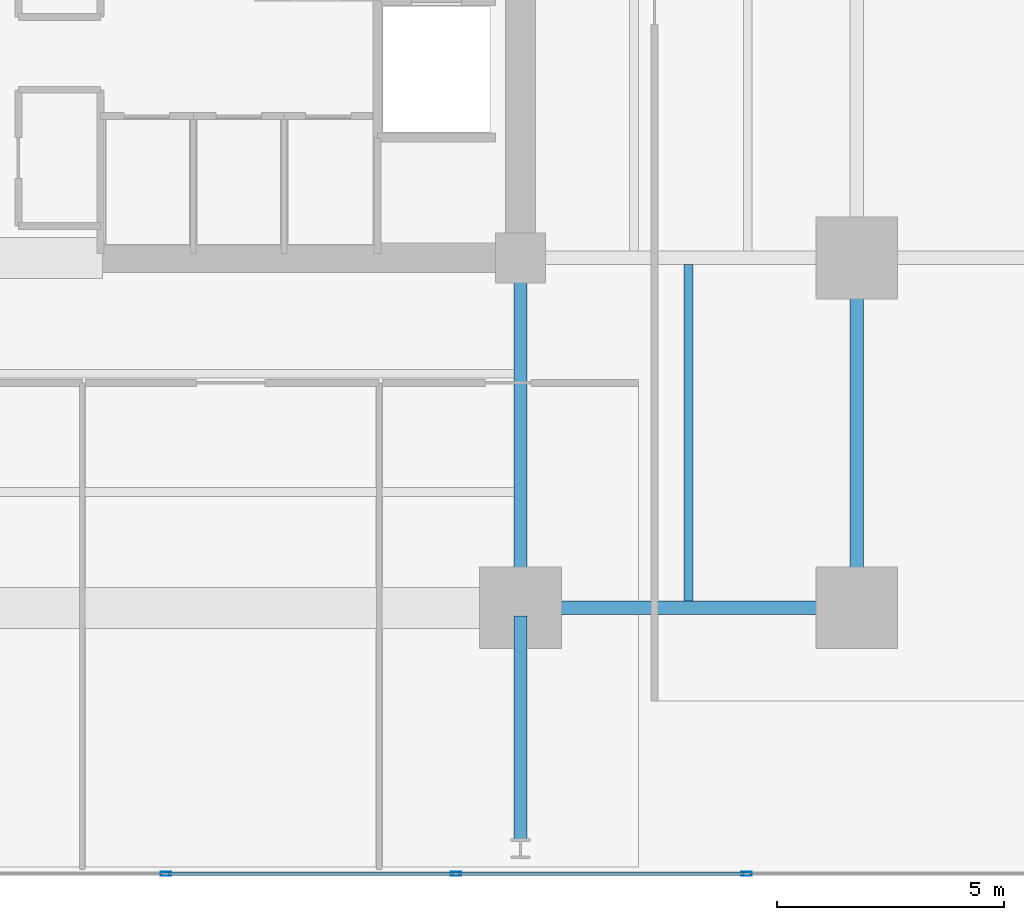
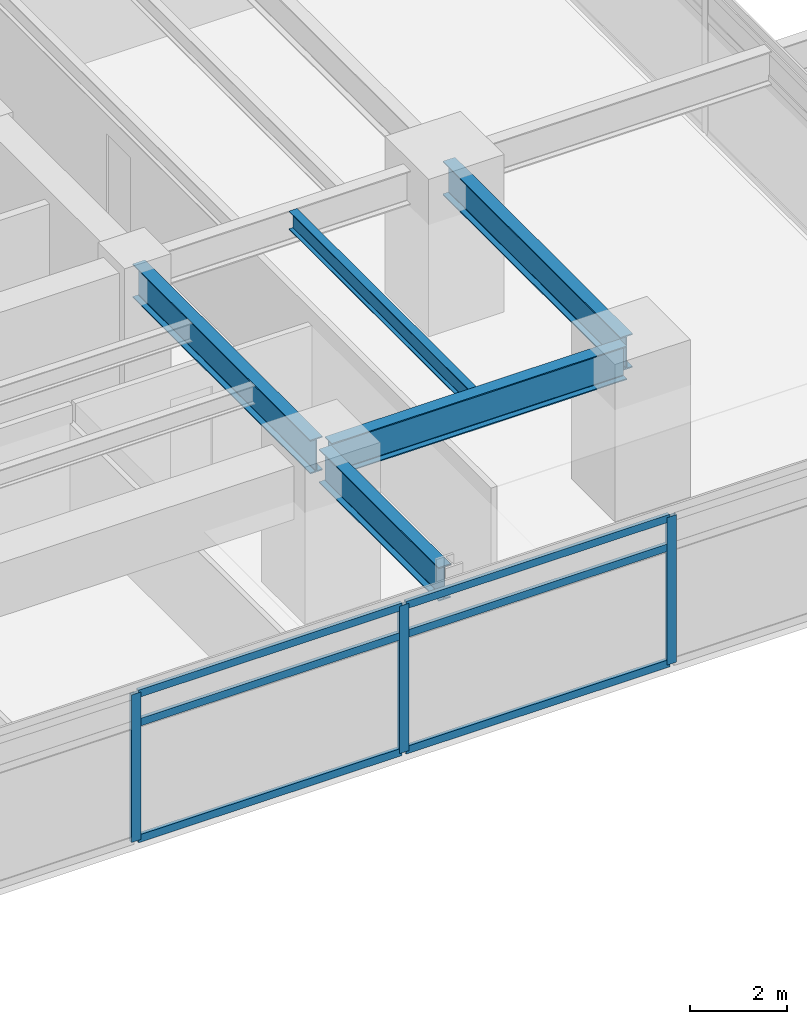
# One storey, part 6 of 20: 9 members, 5 beams, 1 element without a shape of its own.
"""IFC4 building model written with IfcOpenShell, lengths in metres."""

from ifc_helpers import new_model, si_unit, direction, frame, origin, origin_2d, place, context, subcontext, project, spatial, hollow_rectangle, i_section, extrude, material, material_profile, profile_set, type_object, element, aggregate, save


model = new_model("IFC4")

# Units and contexts
model_context = context("Model", 3, precision=1e-05, world=origin(), true_north=direction((0.0, 1.0)))
body_context = subcontext(model_context, "Body", "Model", "MODEL_VIEW")
ifc_project = project(units=[si_unit("LENGTHUNIT", "METRE"), si_unit("AREAUNIT", "SQUARE_METRE"), si_unit("VOLUMEUNIT", "CUBIC_METRE"), si_unit("PLANEANGLEUNIT", "RADIAN"), si_unit("MASSUNIT", "GRAM", prefix="KILO")], contexts=[model_context])

# Site, building, storey
site_placement = place(None, origin())
site = spatial("IfcSite", under=ifc_project, at=site_placement, CompositionType="ELEMENT")
building_placement = place(site_placement, origin())
building = spatial("IfcBuilding", under=site, at=building_placement, Name="Kovane Verandah Tower", CompositionType="ELEMENT")
storey_placement = place(building_placement, frame((0.0, 0.0, 75.60009765625)))
storey = spatial("IfcBuildingStorey", under=building, at=storey_placement, Name="L17", CompositionType="ELEMENT", Elevation=75.60009765625)

# Beams
ifc_material_1 = material(Name="Steel S355", Category="steel")
ifc_material_profile_1 = material_profile(ifc_material_1, i_section(OverallWidth=0.293701171875, OverallDepth=0.850830078125, WebThickness=0.01611328125, FlangeThickness=0.02685546875, FilletRadius=0.017822265625, at=origin_2d()), Name="UB838x292x226")
ifc_profile_set_1 = profile_set([ifc_material_profile_1], Name="Steel S355")
beam_type_1 = type_object("IfcBeamType", Name="BM-UB838x226", PredefinedType="BEAM", material=ifc_profile_set_1)
beam_1_placement = place(storey_placement, frame((51.179931640625, 10.800048828125, 3.33447265625), z_axis=(1.0, 0.0, 0.0), x_axis=(0.0, 1.0, 0.0)))
element("IfcBeam", 1, at=beam_1_placement, inside=storey, type_object=beam_type_1, Name="L17 Primary Tower Girder G-RS3", PredefinedType="BEAM", context=body_context, shape_type="SweptSolid", body=[
    extrude(i_section(OverallWidth=0.293701171875, OverallDepth=0.850830078125, WebThickness=0.01611328125, FlangeThickness=0.02685546875, FilletRadius=0.017822265625, at=origin_2d()), origin(), (0.0, 0.0, 1.0), 7.0400390625),
])
for number, where, z_axis, x_axis, name in (
    (2, (58.39990234375, 10.97998046875, 3.33447265625), (0.0, 1.0, 0.0), (-1.0, 0.0, 0.0), "L17 Primary Tower Girder G-RE1"),
    (3, (51.0, 18.320068359375, 3.33447265625), (0.0, -1.0, 0.0), (1.0, 0.0, 0.0), "L17 Primary Tower Girder G-S2"),
):
    element("IfcBeam", number, at=place(storey_placement, frame(where, z_axis=z_axis, x_axis=x_axis)), inside=storey, type_object=beam_type_1, Name=name, PredefinedType="BEAM", context=body_context, shape_type="SweptSolid", body=[
        extrude(i_section(OverallWidth=0.293701171875, OverallDepth=0.850830078125, WebThickness=0.01611328125, FlangeThickness=0.02685546875, FilletRadius=0.017822265625, at=origin_2d()), origin(), (0.0, 0.0, 1.0), 7.340087890625),
    ])
beam_2_placement = place(storey_placement, frame((51.0, 10.6201171875, 3.33447265625), z_axis=(0.0, -1.0, 0.0), x_axis=(1.0, 0.0, 0.0)))
element("IfcBeam", 4, at=beam_2_placement, inside=storey, type_object=beam_type_1, Name="L17 Primary Tower Girder G-VS2", PredefinedType="BEAM", context=body_context, shape_type="SweptSolid", body=[
    extrude(i_section(OverallWidth=0.293701171875, OverallDepth=0.850830078125, WebThickness=0.01611328125, FlangeThickness=0.02685546875, FilletRadius=0.017822265625, at=origin_2d()), origin(), (0.0, 0.0, 1.0), 4.940185546875),
])

# Curtain wall, members
ifc_material_2 = material(Name="Champagne Anodised Aluminium Frame with Low-E Clear Laminated Glass", Category="aluminium")
curtain_wall_type = type_object("IfcCurtainWallType", Name="CW-SYS-02-LOW", PredefinedType="NOTDEFINED", material=ifc_material_2)
curtain_wall_placement = place(storey_placement, origin())
curtain_wall = element("IfcCurtainWall", 5, at=curtain_wall_placement, inside=storey, type_object=curtain_wall_type, Name="L17 S Unitised Curtain Wall", PredefinedType="NOTDEFINED")
ifc_material_3 = material(Name="Champagne Anodised Aluminium 6063-T6", Category="aluminium")
ifc_material_profile_2 = material_profile(ifc_material_3, hollow_rectangle(XDim=0.0849609375, YDim=0.22998046875, WallThickness=0.00390625, at=origin_2d()), Name="AL85x230x4")
ifc_profile_set_2 = profile_set([ifc_material_profile_2], Name="Champagne Anodised Aluminium 6063-T6")
member_type_1 = type_object("IfcMemberType", Name="CW-MUL-85x230", PredefinedType="MULLION", material=ifc_profile_set_2)
member_1_placement = place(storey_placement, frame((43.194580078125, 4.9462890625, 0.02001953125), z_axis=(0.0, 0.0, 1.0), x_axis=(0.0, -1.0, 0.0)))
member_1 = element("IfcMember", 6, at=member_1_placement, type_object=member_type_1, Name="L17 S Unitised Curtain Wall Mullion 5", PredefinedType="MULLION", context=body_context, shape_type="SweptSolid", body=[
    extrude(hollow_rectangle(XDim=0.0849609375, YDim=0.22998046875, WallThickness=0.00390625, at=origin_2d()), origin(), (0.0, 0.0, 1.0), 3.719970703125),
])
member_2_placement = place(storey_placement, frame((49.583984375, 4.9462890625, 0.02001953125), z_axis=(0.0, 0.0, 1.0), x_axis=(0.0, -1.0, 0.0)))
member_2 = element("IfcMember", 7, at=member_2_placement, type_object=member_type_1, Name="L17 S Unitised Curtain Wall Mullion 6", PredefinedType="MULLION", context=body_context, shape_type="SweptSolid", body=[
    extrude(hollow_rectangle(XDim=0.0849609375, YDim=0.22998046875, WallThickness=0.00390625, at=origin_2d()), origin(), (0.0, 0.0, 1.0), 3.719970703125),
])
member_3_placement = place(storey_placement, frame((55.97314453125, 4.9462890625, 0.02001953125), z_axis=(0.0, 0.0, 1.0), x_axis=(0.0, -1.0, 0.0)))
member_3 = element("IfcMember", 8, at=member_3_placement, type_object=member_type_1, Name="L17 S Unitised Curtain Wall Mullion 7", PredefinedType="MULLION", context=body_context, shape_type="SweptSolid", body=[
    extrude(hollow_rectangle(XDim=0.0849609375, YDim=0.22998046875, WallThickness=0.00390625, at=origin_2d()), origin(), (0.0, 0.0, 1.0), 3.719970703125),
])
ifc_material_profile_3 = material_profile(ifc_material_3, hollow_rectangle(XDim=0.0849609375, YDim=0.18994140625, WallThickness=0.00390625, at=origin_2d()), Name="AL85x190x4")
ifc_profile_set_3 = profile_set([ifc_material_profile_3], Name="Champagne Anodised Aluminium 6063-T6")
member_type_2 = type_object("IfcMemberType", Name="CW-TRN-85x190", PredefinedType="USERDEFINED", material=ifc_profile_set_3)
member_4_placement = place(storey_placement, frame((43.24462890625, 4.9462890625, 0.0498046875), z_axis=(1.0, 0.0, 0.0), x_axis=(0.0, 1.0, 0.0)))
member_4 = element("IfcMember", 9, at=member_4_placement, type_object=member_type_2, Name="L17 S Unitised Curtain Wall Transom TB Bay 5", ObjectType="TRANSOM", PredefinedType="USERDEFINED", context=body_context, shape_type="SweptSolid", body=[
    extrude(hollow_rectangle(XDim=0.0849609375, YDim=0.18994140625, WallThickness=0.00390625, at=origin_2d()), origin(), (0.0, 0.0, 1.0), 6.289306640625),
])
member_5_placement = place(storey_placement, frame((43.24462890625, 4.9462890625, 2.97998046875), z_axis=(1.0, 0.0, 0.0), x_axis=(0.0, 1.0, 0.0)))
member_5 = element("IfcMember", 10, at=member_5_placement, type_object=member_type_2, Name="L17 S Unitised Curtain Wall Transom TM Bay 5", ObjectType="TRANSOM", PredefinedType="USERDEFINED", context=body_context, shape_type="SweptSolid", body=[
    extrude(hollow_rectangle(XDim=0.0849609375, YDim=0.18994140625, WallThickness=0.00390625, at=origin_2d()), origin(), (0.0, 0.0, 1.0), 6.289306640625),
])
member_6_placement = place(storey_placement, frame((43.24462890625, 4.9462890625, 3.7099609375), z_axis=(1.0, 0.0, 0.0), x_axis=(0.0, 1.0, 0.0)))
member_6 = element("IfcMember", 11, at=member_6_placement, type_object=member_type_2, Name="L17 S Unitised Curtain Wall Transom TT Bay 5", ObjectType="TRANSOM", PredefinedType="USERDEFINED", context=body_context, shape_type="SweptSolid", body=[
    extrude(hollow_rectangle(XDim=0.0849609375, YDim=0.18994140625, WallThickness=0.00390625, at=origin_2d()), origin(), (0.0, 0.0, 1.0), 6.289306640625),
])
member_7_placement = place(storey_placement, frame((49.6337890625, 4.9462890625, 0.0498046875), z_axis=(1.0, 0.0, 0.0), x_axis=(0.0, 1.0, 0.0)))
member_7 = element("IfcMember", 12, at=member_7_placement, type_object=member_type_2, Name="L17 S Unitised Curtain Wall Transom TB Bay 6", ObjectType="TRANSOM", PredefinedType="USERDEFINED", context=body_context, shape_type="SweptSolid", body=[
    extrude(hollow_rectangle(XDim=0.0849609375, YDim=0.18994140625, WallThickness=0.00390625, at=origin_2d()), origin(), (0.0, 0.0, 1.0), 6.289306640625),
])
member_8_placement = place(storey_placement, frame((49.6337890625, 4.9462890625, 2.97998046875), z_axis=(1.0, 0.0, 0.0), x_axis=(0.0, 1.0, 0.0)))
member_8 = element("IfcMember", 13, at=member_8_placement, type_object=member_type_2, Name="L17 S Unitised Curtain Wall Transom TM Bay 6", ObjectType="TRANSOM", PredefinedType="USERDEFINED", context=body_context, shape_type="SweptSolid", body=[
    extrude(hollow_rectangle(XDim=0.0849609375, YDim=0.18994140625, WallThickness=0.00390625, at=origin_2d()), origin(), (0.0, 0.0, 1.0), 6.289306640625),
])
member_9_placement = place(storey_placement, frame((49.6337890625, 4.9462890625, 3.7099609375), z_axis=(1.0, 0.0, 0.0), x_axis=(0.0, 1.0, 0.0)))
member_9 = element("IfcMember", 14, at=member_9_placement, type_object=member_type_2, Name="L17 S Unitised Curtain Wall Transom TT Bay 6", ObjectType="TRANSOM", PredefinedType="USERDEFINED", context=body_context, shape_type="SweptSolid", body=[
    extrude(hollow_rectangle(XDim=0.0849609375, YDim=0.18994140625, WallThickness=0.00390625, at=origin_2d()), origin(), (0.0, 0.0, 1.0), 6.289306640625),
])
aggregate(curtain_wall, [member_1, member_2, member_3, member_4, member_5, member_6, member_7, member_8, member_9])

# Beam
ifc_material_profile_4 = material_profile(ifc_material_1, i_section(OverallWidth=0.19287109375, OverallDepth=0.46728515625, WebThickness=0.011474609375, FlangeThickness=0.01953125, FilletRadius=0.01025390625, at=origin_2d()), Name="UB457x191x98")
ifc_profile_set_4 = profile_set([ifc_material_profile_4], Name="Steel S355")
beam_type_2 = type_object("IfcBeamType", Name="JST-UB457x98", PredefinedType="JOIST", material=ifc_profile_set_4)
beam_3_placement = place(storey_placement, frame((54.699951171875, 10.94482421875, 3.5263671875), z_axis=(0.0, 1.0, 0.0), x_axis=(-1.0, 0.0, 0.0)))
element("IfcBeam", 15, at=beam_3_placement, inside=storey, type_object=beam_type_2, Name="L17 Secondary Composite Joist J-SE1", PredefinedType="JOIST", context=body_context, shape_type="SweptSolid", body=[
    extrude(i_section(OverallWidth=0.19287109375, OverallDepth=0.46728515625, WebThickness=0.011474609375, FlangeThickness=0.01953125, FilletRadius=0.01025390625, at=origin_2d()), origin(), (0.0, 0.0, 1.0), 7.41015625),
])

save(model, "model.ifc")
